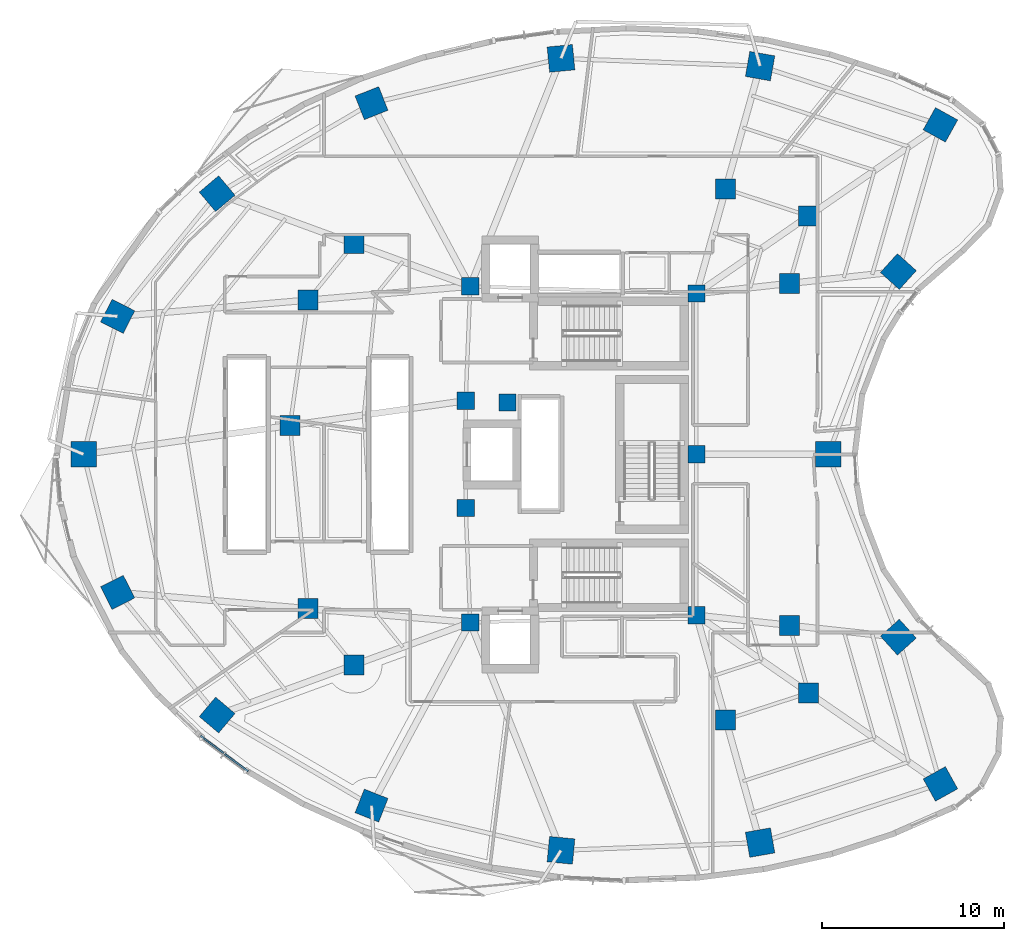
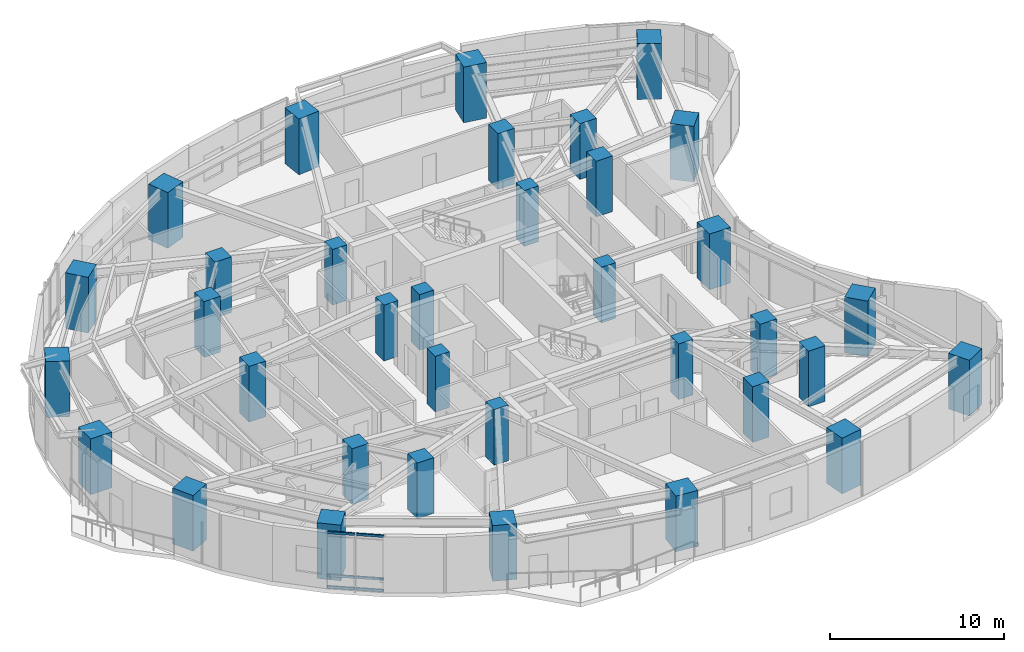
# One storey, part 1 of 16: 35 columns, 6 members, 1 element without a shape of its own.
"""IFC4 building model written with IfcOpenShell, lengths in metres."""

from ifc_helpers import new_model, si_unit, direction, frame, origin, origin_2d, place, context, subcontext, project, spatial, rectangle, extrude, material, layer, layer_set, material_profile, profile_set, type_object, element, aggregate, save


model = new_model("IFC4")

# Units and contexts
model_context = context("Model", 3, precision=1e-05, world=origin(), true_north=direction((0.0, 1.0)))
body_context = subcontext(model_context, "Body", "Model", "MODEL_VIEW")
ifc_project = project(units=[si_unit("LENGTHUNIT", "METRE"), si_unit("AREAUNIT", "SQUARE_METRE"), si_unit("VOLUMEUNIT", "CUBIC_METRE"), si_unit("PLANEANGLEUNIT", "RADIAN"), si_unit("MASSUNIT", "GRAM", prefix="KILO")], contexts=[model_context])

# Site, building, storey
site_placement = place(None, origin())
site = spatial("IfcSite", under=ifc_project, at=site_placement, CompositionType="ELEMENT")
building_placement = place(site_placement, origin())
building = spatial("IfcBuilding", under=site, at=building_placement, Name="Korentha Bioscience Tower", CompositionType="ELEMENT")
storey_placement = place(building_placement, frame((0.0, 0.0, 55.199951171875)))
storey = spatial("IfcBuildingStorey", under=building, at=storey_placement, Name="L12", CompositionType="ELEMENT", Elevation=55.199951171875)

# Columns
ifc_material_1 = material(Name="Concrete C65", Category="concrete")
ifc_material_profile_1 = material_profile(ifc_material_1, rectangle(XDim=0.949951171875, YDim=0.949951171875, at=origin_2d()), Name="Concrete C65")
ifc_profile_set_1 = profile_set([ifc_material_profile_1], Name="Concrete C65 (COL-CP09)")
column_type_1 = type_object("IfcColumnType", Name="Core Pilaster Column RC 950x950", PredefinedType="PILASTER", material=ifc_profile_set_1)
for number, where, z_axis, x_axis, name in (
    (1, (37.550048828125, 35.85009765625, -0.00048828125), (0.0, 0.0, 1.0), (1.0, 0.0, 0.0), "L12 Core Pilaster CP-01"),
    (2, (25.10009765625, 36.25, -0.00048828125), (0.0, 0.0, 1.0), (1.0, 0.0, 0.0), "L12 Core Pilaster CP-02"),
    (3, (24.85009765625, 29.949951171875, -0.00048828125), (0.0, 0.0, 1.0), (1.0, 0.0, 0.0), "L12 Core Pilaster CP-03"),
    (4, (27.14990234375, 29.85009765625, -0.00048828125), (0.0, 0.0, 1.0), (1.0, 0.0, 0.0), "L12 Core Pilaster CP-04"),
    (5, (24.85009765625, 24.050048828125, -0.00048828125), (0.0, 0.0, 1.0), (1.0, 0.0, 0.0), "L12 Core Pilaster CP-05"),
    (6, (25.10009765625, 17.75, -0.00048828125), (0.0, 0.0, 1.0), (1.0, 0.0, 0.0), "L12 Core Pilaster CP-06"),
    (7, (37.550048828125, 18.14990234375, -0.00048828125), (0.0, 0.0, 1.0), (1.0, 0.0, 0.0), "L12 Core Pilaster CP-07"),
    (8, (37.550048828125, 27.0, -0.00048828125), (0.0, 0.0, 1.0), (1.0, 0.0, 0.0), "L12 Core Pilaster CP-08"),
):
    element("IfcColumn", number, at=place(storey_placement, frame(where, z_axis=z_axis, x_axis=x_axis)), inside=storey, type_object=column_type_1, Name=name, PredefinedType="PILASTER", context=body_context, shape_type="SweptSolid", body=[
        extrude(rectangle(XDim=0.949951171875, YDim=0.949951171875, at=origin_2d()), origin(), (0.0, 0.0, 1.0), 3.901123046875),
    ])
ifc_material_2 = material(Name="Concrete C80", Category="concrete")
ifc_material_profile_2 = material_profile(ifc_material_2, rectangle(XDim=1.10009765625, YDim=1.10009765625, at=origin_2d()), Name="Concrete C80")
ifc_profile_set_2 = profile_set([ifc_material_profile_2], Name="Concrete C80 (COL-MR11)")
column_type_2 = type_object("IfcColumnType", Name="Mid-Ring Lab Column RC 1100x1100", PredefinedType="COLUMN", material=ifc_profile_set_2)
for number, where, z_axis, x_axis, name in (
    (9, (43.7265625, 40.121337890625, -0.00048828125), (0.0, 0.0, 1.0), (1.0, 0.0, 0.0), "L12 Mid-Ring Column 01"),
    (10, (39.1611328125, 41.607666015625, -0.00048828125), (0.0, 0.0, 1.0), (1.0, 0.0, 0.0), "L12 Mid-Ring Column 02"),
    (11, (18.692138671875, 38.5947265625, -0.00048828125), (0.0, 0.0, 1.0), (1.0, 0.0, 0.0), "L12 Mid-Ring Column 05"),
    (12, (16.174072265625, 35.489013671875, -0.00048828125), (0.0, 0.0, 1.0), (1.0, 0.0, 0.0), "L12 Mid-Ring Column 06"),
    (13, (15.1787109375, 28.593505859375, -0.00048828125), (0.0, 0.0, 1.0), (1.0, 0.0, 0.0), "L12 Mid-Ring Column 07"),
    (14, (16.174072265625, 18.510986328125, -0.00048828125), (0.0, 0.0, 1.0), (1.0, 0.0, 0.0), "L12 Mid-Ring Column 08"),
    (15, (18.692138671875, 15.4052734375, -0.00048828125), (0.0, 0.0, 1.0), (1.0, 0.0, 0.0), "L12 Mid-Ring Column 09"),
    (16, (39.1611328125, 12.392333984375, -0.00048828125), (0.0, 0.0, 1.0), (1.0, 0.0, 0.0), "L12 Mid-Ring Column 12"),
    (17, (43.7265625, 13.878662109375, -0.00048828125), (0.0, 0.0, 1.0), (1.0, 0.0, 0.0), "L12 Mid-Ring Column 13"),
    (18, (42.66162109375, 17.593017578125, -0.00048828125), (0.0, 0.0, 1.0), (1.0, 0.0, 0.0), "L12 Mid-Ring Column 14"),
    (19, (42.66162109375, 36.406982421875, -0.00048828125), (0.0, 0.0, 1.0), (1.0, 0.0, 0.0), "L12 Mid-Ring Column 16"),
):
    element("IfcColumn", number, at=place(storey_placement, frame(where, z_axis=z_axis, x_axis=x_axis)), inside=storey, type_object=column_type_2, Name=name, PredefinedType="COLUMN", context=body_context, shape_type="SweptSolid", body=[
        extrude(rectangle(XDim=1.10009765625, YDim=1.10009765625, at=origin_2d()), origin(), (0.0, 0.0, 1.0), 3.901123046875),
    ])
ifc_material_profile_3 = material_profile(ifc_material_2, rectangle(XDim=1.39990234375, YDim=1.39990234375, at=origin_2d()), Name="Concrete C80")
ifc_profile_set_3 = profile_set([ifc_material_profile_3], Name="Concrete C80 (COL-P14)")
column_type_3 = type_object("IfcColumnType", Name="Perimeter Column RC 1400x1400", PredefinedType="COLUMN", material=ifc_profile_set_3)
for number, where, z_axis, x_axis, name in (
    (20, (50.977294921875, 45.135498046875, -0.00048828125), (0.0, 0.0, 1.0), (-0.874535078577, 0.484962262797, 0.0), "L12 Perimeter Column 01"),
    (21, (41.052490234375, 48.36669921875, -0.00048828125), (0.0, 0.0, 1.0), (-0.984868307662, 0.173304404339, 0.0), "L12 Perimeter Column 02"),
    (22, (30.09423828125, 48.79248046875, -0.00048828125), (0.0, 0.0, 1.0), (0.995462868748, 0.095150811579, 0.0), "L12 Perimeter Column 03"),
    (23, (19.66650390625, 46.328857421875, -0.00048828125), (0.0, 0.0, 1.0), (0.930225540858, 0.366988341962, 0.0), "L12 Perimeter Column 04"),
    (24, (11.169921875, 41.34716796875, -0.00048828125), (0.0, 0.0, 1.0), (0.764246456939, 0.644924300253, 0.0), "L12 Perimeter Column 05"),
    (25, (5.69580078125, 34.595703125, -0.00048828125), (0.0, 0.0, 1.0), (0.453057191132, 0.891481453292, 0.0), "L12 Perimeter Column 06"),
    (26, (3.825439453125, 27.000732421875, -0.00048828125), (0.0, 0.0, 1.0), (0.0, 1.0, 0.0), "L12 Perimeter Column 07"),
    (27, (5.69580078125, 19.404296875, -0.00048828125), (0.0, 0.0, 1.0), (-0.453057191132, 0.891481453292, 0.0), "L12 Perimeter Column 08"),
    (28, (11.169921875, 12.65283203125, -0.00048828125), (0.0, 0.0, 1.0), (-0.764246456939, 0.644924300253, 0.0), "L12 Perimeter Column 09"),
    (29, (19.66650390625, 7.671142578125, -0.00048828125), (0.0, 0.0, 1.0), (-0.930225540858, 0.366988341962, 0.0), "L12 Perimeter Column 10"),
    (30, (30.09423828125, 5.20751953125, -0.00048828125), (0.0, 0.0, 1.0), (-0.995462868748, 0.095150811579, 0.0), "L12 Perimeter Column 11"),
    (31, (41.052490234375, 5.63330078125, -0.00048828125), (0.0, 0.0, 1.0), (0.984868307662, 0.173304404339, 0.0), "L12 Perimeter Column 12"),
    (32, (50.977294921875, 8.864501953125, -0.00048828125), (0.0, 0.0, 1.0), (0.874535078577, 0.484962262797, 0.0), "L12 Perimeter Column 13"),
    (33, (48.661865234375, 16.939208984375, -0.00048828125), (0.0, 0.0, 1.0), (-0.669130606359, 0.743144825477, 0.0), "L12 Perimeter Column 14"),
    (34, (44.798583984375, 27.0, -0.00048828125), (0.0, 0.0, 1.0), (0.0, 1.0, 0.0), "L12 Perimeter Column 15"),
    (35, (48.661865234375, 37.060791015625, -0.00048828125), (0.0, 0.0, 1.0), (0.669130606359, 0.743144825477, 0.0), "L12 Perimeter Column 16"),
):
    element("IfcColumn", number, at=place(storey_placement, frame(where, z_axis=z_axis, x_axis=x_axis)), inside=storey, type_object=column_type_3, Name=name, PredefinedType="COLUMN", context=body_context, shape_type="SweptSolid", body=[
        extrude(rectangle(XDim=1.39990234375, YDim=1.39990234375, at=origin_2d()), origin(), (0.0, 0.0, 1.0), 3.901123046875),
    ])

# Curtain wall, members
ifc_material_3 = material(Name="Thermally Broken Aluminium Frame", Category="aluminium")
ifc_layer = layer(ifc_material_3, 0.219970703125, Name="Thermally Broken Aluminium Frame")
ifc_layer_set = layer_set([ifc_layer], Name="Thermally Broken Aluminium Frame (CW-T2)")
curtain_wall_type = type_object("IfcCurtainWallType", Name="Solar-Screened Lab Unitised Curtain Wall CW-T2", PredefinedType="USERDEFINED", material=ifc_layer_set)
curtain_wall_placement = place(storey_placement, origin())
curtain_wall = element("IfcCurtainWall", 36, at=curtain_wall_placement, inside=storey, type_object=curtain_wall_type, Name="L12 Curtain Wall 25", ObjectType="UNITISED", PredefinedType="USERDEFINED")
ifc_material_4 = material(Name="Anodised Aluminium 6063-T6", Category="aluminium")
ifc_material_profile_4 = material_profile(ifc_material_4, rectangle(XDim=0.090087890625, YDim=0.159912109375, at=origin_2d()), Name="Anodised Aluminium 6063-T6")
ifc_profile_set_4 = profile_set([ifc_material_profile_4], Name="Anodised Aluminium 6063-T6 (CW-TRN)")
member_type = type_object("IfcMemberType", Name="Transom RECT 90x160", PredefinedType="USERDEFINED", material=ifc_profile_set_4)
member_1_placement = place(storey_placement, frame((10.2578125, 11.51171875, 0.045166015625), z_axis=(0.8008676283, -0.598841416354, 0.0), x_axis=(0.598841416354, 0.8008676283, 0.0)))
member_1 = element("IfcMember", 37, at=member_1_placement, type_object=member_type, Name="CW-L12-25 Bay 1 Transom 1", ObjectType="TRANSOM", PredefinedType="USERDEFINED", context=body_context, shape_type="SweptSolid", body=[
    extrude(rectangle(XDim=0.090087890625, YDim=0.159912109375, at=origin_2d()), origin(), (0.0, 0.0, 1.0), 1.58544921875),
])
member_2_placement = place(storey_placement, frame((10.2578125, 11.51171875, 0.85009765625), z_axis=(0.8008676283, -0.598841416354, 0.0), x_axis=(0.598841416354, 0.8008676283, 0.0)))
member_2 = element("IfcMember", 38, at=member_2_placement, type_object=member_type, Name="CW-L12-25 Bay 1 Transom 2", ObjectType="TRANSOM", PredefinedType="USERDEFINED", context=body_context, shape_type="SweptSolid", body=[
    extrude(rectangle(XDim=0.090087890625, YDim=0.159912109375, at=origin_2d()), origin(), (0.0, 0.0, 1.0), 1.58544921875),
])
member_3_placement = place(storey_placement, frame((10.2578125, 11.51171875, 3.85498046875), z_axis=(0.8008676283, -0.598841416354, 0.0), x_axis=(0.598841416354, 0.8008676283, 0.0)))
member_3 = element("IfcMember", 39, at=member_3_placement, type_object=member_type, Name="CW-L12-25 Bay 1 Transom 3", ObjectType="TRANSOM", PredefinedType="USERDEFINED", context=body_context, shape_type="SweptSolid", body=[
    extrude(rectangle(XDim=0.090087890625, YDim=0.159912109375, at=origin_2d()), origin(), (0.0, 0.0, 1.0), 1.58544921875),
])
member_4_placement = place(storey_placement, frame((11.599609375, 10.50830078125, 0.045166015625), z_axis=(0.800738536228, -0.59901402037, 0.0), x_axis=(0.59901402037, 0.800738536228, 0.0)))
member_4 = element("IfcMember", 40, at=member_4_placement, type_object=member_type, Name="CW-L12-25 Bay 2 Transom 1", ObjectType="TRANSOM", PredefinedType="USERDEFINED", context=body_context, shape_type="SweptSolid", body=[
    extrude(rectangle(XDim=0.090087890625, YDim=0.159912109375, at=origin_2d()), origin(), (0.0, 0.0, 1.0), 1.58544921875),
])
member_5_placement = place(storey_placement, frame((11.599609375, 10.50830078125, 0.85009765625), z_axis=(0.800738536228, -0.59901402037, 0.0), x_axis=(0.59901402037, 0.800738536228, 0.0)))
member_5 = element("IfcMember", 41, at=member_5_placement, type_object=member_type, Name="CW-L12-25 Bay 2 Transom 2", ObjectType="TRANSOM", PredefinedType="USERDEFINED", context=body_context, shape_type="SweptSolid", body=[
    extrude(rectangle(XDim=0.090087890625, YDim=0.159912109375, at=origin_2d()), origin(), (0.0, 0.0, 1.0), 1.58544921875),
])
member_6_placement = place(storey_placement, frame((11.599609375, 10.50830078125, 3.85498046875), z_axis=(0.800738536228, -0.59901402037, 0.0), x_axis=(0.59901402037, 0.800738536228, 0.0)))
member_6 = element("IfcMember", 42, at=member_6_placement, type_object=member_type, Name="CW-L12-25 Bay 2 Transom 3", ObjectType="TRANSOM", PredefinedType="USERDEFINED", context=body_context, shape_type="SweptSolid", body=[
    extrude(rectangle(XDim=0.090087890625, YDim=0.159912109375, at=origin_2d()), origin(), (0.0, 0.0, 1.0), 1.58544921875),
])
aggregate(curtain_wall, [member_1, member_2, member_3, member_4, member_5, member_6])

save(model, "model.ifc")
